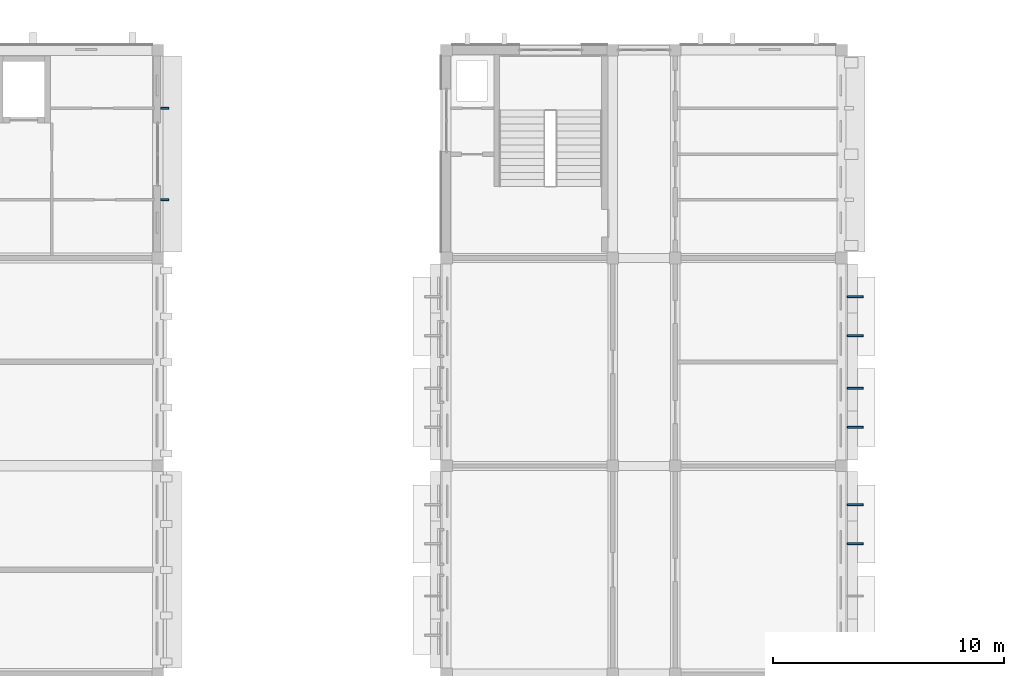
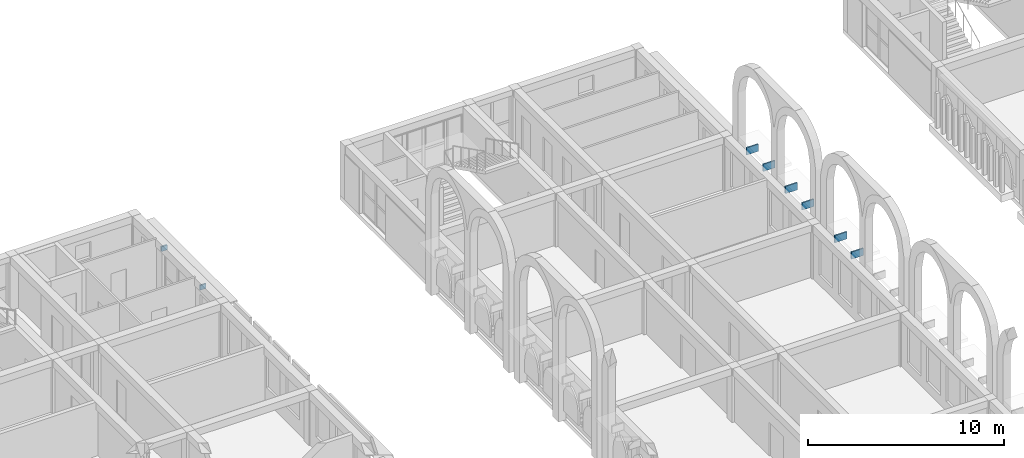
# One storey, part 52 of 70: 8 discrete accessories.
"""IFC4 building model written with IfcOpenShell, lengths in metres."""

import ifcopenshell
import ifcopenshell.guid

model = None  # the IFC model being written
_history = None  # IfcOwnerHistory: only IFC2X3 demands one
_inside = {}  # id of a spatial element -> (the spatial element, [elements in it])
_under = {}  # id of a project, library or spatial element -> (it, [spatial elements below it])
_declared = {}  # id of a project -> (the project, [libraries it declares])
_typed = {}  # id of a type object -> (the type object, [elements of that type])
_made_of = {}  # id of a material, layer set ... -> (it, [elements and type objects made of it])


def new_model(schema):
    """Start an empty IFC model of exactly this schema.

    Asked for "IFC4X3", IfcOpenShell would pick the latest addendum, in which some entities
    have other attributes; the version numbers below select the first issue.
    IFC2X3 requires an IfcOwnerHistory on every rooted entity: one is made here for all.
    """
    global model, _history
    if schema == "IFC4X3":
        model = ifcopenshell.file(schema_version=(4, 3, 0, 0))
    else:
        model = ifcopenshell.file(schema=schema)
    _inside.clear()
    _under.clear()
    _declared.clear()
    _typed.clear()
    _made_of.clear()
    _history = None
    if model.schema == "IFC2X3":
        org = make("IfcOrganization", Name="unknown")
        user = make(
            "IfcPersonAndOrganization",
            ThePerson=make("IfcPerson", FamilyName="unknown"),
            TheOrganization=org,
        )
        app = make(
            "IfcApplication",
            ApplicationDeveloper=org,
            Version="unknown",
            ApplicationFullName="unknown",
            ApplicationIdentifier="unknown",
        )
        _history = make(
            "IfcOwnerHistory",
            OwningUser=user,
            OwningApplication=app,
            ChangeAction="ADDED",
            CreationDate=0,
        )
    return model


def make(cls, **values):
    """One entity of the class cls with the attributes given. An attribute that is None is left unset."""
    return model.create_entity(
        cls, **{name: value for name, value in values.items() if value is not None}
    )


def rooted(cls, **values):
    """An entity with a GlobalId (a new one), such as an element, a storey or a relation."""
    return make(cls, GlobalId=ifcopenshell.guid.new(), OwnerHistory=_history, **values)


def si_unit(unit_type, name, prefix=None):
    """IfcSIUnit, for example si_unit("LENGTHUNIT", "METRE", prefix="MILLI")."""
    return make("IfcSIUnit", UnitType=unit_type, Prefix=prefix, Name=name)


def assignment(units):
    """IfcUnitAssignment: the units of a project."""
    return None if units is None else make("IfcUnitAssignment", Units=units)


def point(xyz):
    """IfcCartesianPoint."""
    return None if xyz is None else make("IfcCartesianPoint", Coordinates=xyz)


def direction(xyz):
    """IfcDirection."""
    return None if xyz is None else make("IfcDirection", DirectionRatios=xyz)


def frame(location, z_axis=None, x_axis=None):
    """IfcAxis2Placement3D, a coordinate frame: its origin and axes. An axis left out is left unset."""
    return make(
        "IfcAxis2Placement3D",
        Location=point(location),
        Axis=direction(z_axis),
        RefDirection=direction(x_axis),
    )


def frame_2d(location, x_axis=None):
    """IfcAxis2Placement2D, a coordinate frame in the plane: its origin and x axis."""
    return make(
        "IfcAxis2Placement2D", Location=point(location), RefDirection=direction(x_axis)
    )


def origin():
    """The frame at (0, 0, 0) with its axes left unset."""
    return frame((0.0, 0.0, 0.0))


def origin_2d():
    """The frame at (0, 0) in the plane with its x axis left unset."""
    return frame_2d((0.0, 0.0))


def place(relative_to, where):
    """IfcLocalPlacement: puts the frame where relative to a parent placement (None: the world)."""
    return make(
        "IfcLocalPlacement", PlacementRelTo=relative_to, RelativePlacement=where
    )


def context(
    kind, dimensions, precision=None, world=None, true_north=None, identifier=None
):
    """IfcGeometricRepresentationContext, for example the 3D "Model" context."""
    return make(
        "IfcGeometricRepresentationContext",
        ContextIdentifier=identifier,
        ContextType=kind,
        CoordinateSpaceDimension=dimensions,
        Precision=precision,
        WorldCoordinateSystem=world,
        TrueNorth=true_north,
    )


def subcontext(parent, identifier, kind, view, scale=None):
    """IfcGeometricRepresentationSubContext, for example "Body" below "Model"."""
    return make(
        "IfcGeometricRepresentationSubContext",
        ContextIdentifier=identifier,
        ContextType=kind,
        ParentContext=parent,
        TargetScale=scale,
        TargetView=view,
    )


def project(units=None, contexts=None):
    """IfcProject with its units and contexts."""
    return rooted(
        "IfcProject",
        Name="project",
        RepresentationContexts=contexts,
        UnitsInContext=assignment(units),
    )


def spatial(cls, under=None, at=None, **own):
    """A site, building, storey or space (cls), placed at a placement, below another one or the project."""
    s = rooted(cls, ObjectPlacement=at, **own)
    if under is not None:
        _under.setdefault(under.id(), (under, []))[1].append(s)
    return s


def profile(cls, at=None, kind="AREA", **sizes):
    """A parametric profile (cls). Its sizes go by their IFC names, for example OverallWidth=200.0."""
    return make(cls, ProfileType=kind, Position=at, **sizes)


def rectangle(**sizes):
    """IfcRectangleProfileDef."""
    return profile("IfcRectangleProfileDef", **sizes)


def extrude(swept, where, along, depth):
    """IfcExtrudedAreaSolid: the profile swept, set in the frame where, extruded along a direction by depth."""
    return make(
        "IfcExtrudedAreaSolid",
        SweptArea=swept,
        Position=where,
        ExtrudedDirection=direction(along),
        Depth=depth,
    )


def shape(context_of_items, identifier, shape_type, items):
    """IfcShapeRepresentation: the items that make up one representation, for example the "Body"."""
    return make(
        "IfcShapeRepresentation",
        ContextOfItems=context_of_items,
        RepresentationIdentifier=identifier,
        RepresentationType=shape_type,
        Items=items,
    )


def material(Name=None, Category=None):
    """IfcMaterial."""
    return make("IfcMaterial", Name=Name, Category=Category)


def made_of(thing, what):
    """Note that an element or type object is made of a material, layer set ...; save() writes the relation."""
    if what is not None:
        _made_of.setdefault(what.id(), (what, []))[1].append(thing)
    return thing


def type_object(cls, material=None, **own):
    """A type object (cls), such as IfcWallType, which elements share."""
    return made_of(rooted(cls, **own), material)


def element(
    cls,
    number,
    at=None,
    inside=None,
    cuts=None,
    type_object=None,
    material=None,
    context=None,
    identifier="Body",
    shape_type=None,
    held_by="IfcProductDefinitionShape",
    body=None,
    shapes=None,
    **own,
):
    """One element of the class cls, such as IfcWall. Its Tag is "e" and its number.

    at: its placement. inside: the storey or other place that contains it. cuts: it is an
    opening in that element (IfcRelVoidsElement). A single representation is given by context,
    identifier, shape_type and body (its items); several are given by shapes. held_by: the class
    of the entity that holds the representations. save() writes the other relations.
    """
    e = rooted(cls, Tag="e%d" % number, ObjectPlacement=at, **own)
    if body is not None:
        shapes = [shape(context, identifier, shape_type, body)]
    if shapes is not None:
        e.Representation = make(held_by, Representations=shapes)
    if inside is not None:
        _inside.setdefault(inside.id(), (inside, []))[1].append(e)
    if cuts is not None:
        rooted(
            "IfcRelVoidsElement", RelatingBuildingElement=cuts, RelatedOpeningElement=e
        )
    if type_object is not None:
        _typed.setdefault(type_object.id(), (type_object, []))[1].append(e)
    return made_of(e, material)


def aggregate(whole, parts):
    """IfcRelAggregates: a whole, such as a stair, and the parts it consists of."""
    return rooted("IfcRelAggregates", RelatingObject=whole, RelatedObjects=parts)


def save(model, path):
    """Write the relations noted so far, then the file.

    IfcRelAggregates (storeys below a building ...), IfcRelContainedInSpatialStructure (elements
    in a storey), IfcRelDefinesByType, IfcRelAssociatesMaterial and IfcRelDeclares: one each for
    every whole, place, type object, material and project.
    """
    for whole, parts in _under.values():
        aggregate(whole, parts)
    for where, things in _inside.values():
        rooted(
            "IfcRelContainedInSpatialStructure",
            RelatedElements=things,
            RelatingStructure=where,
        )
    for kind, things in _typed.values():
        rooted("IfcRelDefinesByType", RelatedObjects=things, RelatingType=kind)
    for what, things in _made_of.values():
        rooted("IfcRelAssociatesMaterial", RelatedObjects=things, RelatingMaterial=what)
    for by, libraries in _declared.values():
        rooted("IfcRelDeclares", RelatingContext=by, RelatedDefinitions=libraries)
    model.write(path)


model = new_model("IFC4")

# Units and contexts
model_context = context("Model", 3, precision=1e-05, world=origin(), true_north=direction((0.0, 1.0)))
body_context = subcontext(model_context, "Body", "Model", "MODEL_VIEW")
ifc_project = project(units=[si_unit("LENGTHUNIT", "METRE"), si_unit("AREAUNIT", "SQUARE_METRE"), si_unit("VOLUMEUNIT", "CUBIC_METRE"), si_unit("PLANEANGLEUNIT", "RADIAN"), si_unit("MASSUNIT", "GRAM", prefix="KILO")], contexts=[model_context])

# Site, building, storey
site_placement = place(None, origin())
site = spatial("IfcSite", under=ifc_project, at=site_placement, CompositionType="ELEMENT")
building_placement = place(site_placement, origin())
building = spatial("IfcBuilding", under=site, at=building_placement, Name="Elbe Cascade School", CompositionType="ELEMENT")
storey_placement = place(building_placement, frame((0.0, 0.0, 8.10009765625)))
storey = spatial("IfcBuildingStorey", under=building, at=storey_placement, Name="L02", CompositionType="ELEMENT", Elevation=8.10009765625)

# Discrete accessories
ifc_material = material(Name="Steel S355J2, hot-dip galvanised", Category="steel")
discrete_accessory_type = type_object("IfcDiscreteAccessoryType", Name="Bars envelope Bracket, galvanised steel", PredefinedType="BRACKET", material=ifc_material)
for number, where, z_axis, x_axis, name in (
    (1, (86.39501953125, 53.52001953125, 2.4296875), (0.0, 0.0, 1.0), (0.0, 1.0, 0.0), "Bracket AC7 eave.e.6.br1"),
    (2, (86.39501953125, 57.47998046875, 2.4296875), (0.0, 0.0, 1.0), (0.0, 1.0, 0.0), "Bracket AC7 eave.e.6.br2"),
):
    element("IfcDiscreteAccessory", number, at=place(storey_placement, frame(where, z_axis=z_axis, x_axis=x_axis)), inside=storey, type_object=discrete_accessory_type, Name=name, PredefinedType="BRACKET", context=body_context, shape_type="SweptSolid", body=[
        extrude(rectangle(XDim=0.080078125, YDim=0.35009765625, at=origin_2d()), origin(), (0.0, 0.0, 1.0), 0.300048828125),
    ])
for number, where, z_axis, x_axis, name in (
    (3, (116.300048828125, 38.635009765625, 2.9697265625), (0.0, 0.0, 1.0), (0.0, 1.0, 0.0), "Bracket AC7 chslab.e.3.2.br1"),
    (4, (116.300048828125, 40.324951171875, 2.9697265625), (0.0, 0.0, 1.0), (0.0, 1.0, 0.0), "Bracket AC7 chslab.e.3.2.br2"),
    (5, (116.300048828125, 43.675048828125, 2.9697265625), (0.0, 0.0, 1.0), (0.0, 1.0, 0.0), "Bracket AC7 chslab.e.4.1.br1"),
    (6, (116.300048828125, 45.364990234375, 2.9697265625), (0.0, 0.0, 1.0), (0.0, 1.0, 0.0), "Bracket AC7 chslab.e.4.1.br2"),
    (7, (116.300048828125, 47.635009765625, 2.9697265625), (0.0, 0.0, 1.0), (0.0, 1.0, 0.0), "Bracket AC7 chslab.e.4.2.br1"),
    (8, (116.300048828125, 49.324951171875, 2.9697265625), (0.0, 0.0, 1.0), (0.0, 1.0, 0.0), "Bracket AC7 chslab.e.4.2.br2"),
):
    element("IfcDiscreteAccessory", number, at=place(storey_placement, frame(where, z_axis=z_axis, x_axis=x_axis)), inside=storey, type_object=discrete_accessory_type, Name=name, PredefinedType="BRACKET", context=body_context, shape_type="SweptSolid", body=[
        extrude(rectangle(XDim=0.080078125, YDim=0.699951171875, at=origin_2d()), origin(), (0.0, 0.0, 1.0), 0.449951171875),
    ])

save(model, "model.ifc")
